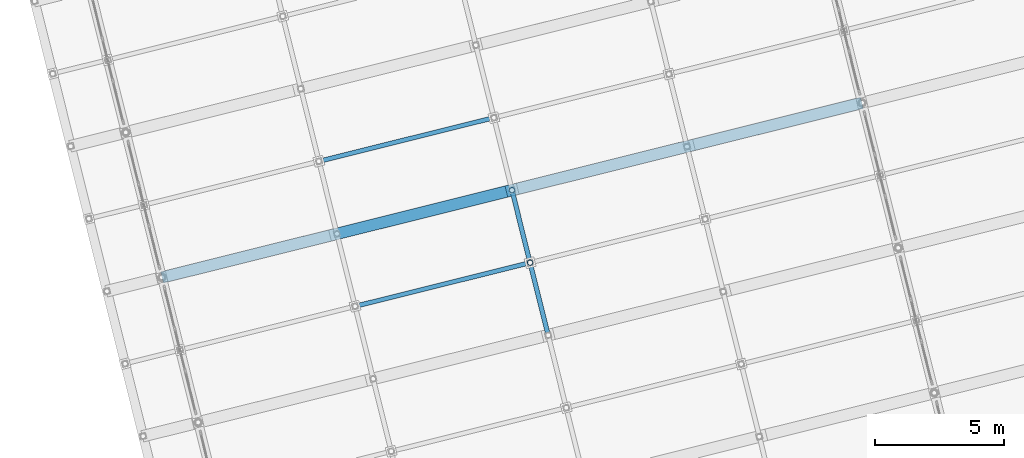
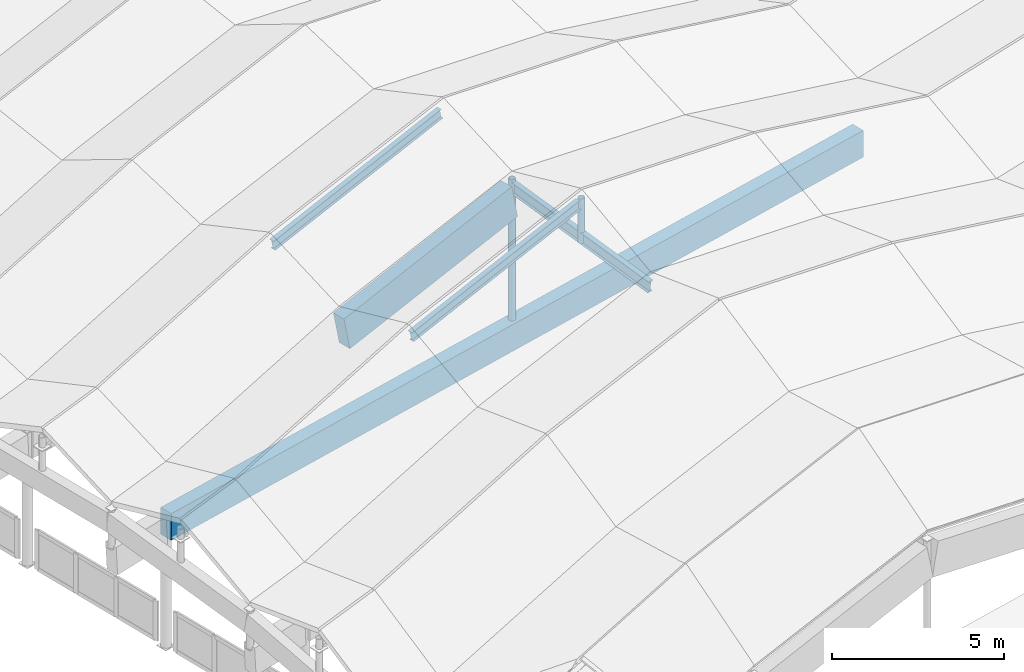
# One storey, part 21 of 65: 5 beams, 2 members.
"""IFC4 building model written with IfcOpenShell, lengths in metres."""

from ifc_helpers import new_model, si_unit, direction, frame, origin, origin_2d, place, context, subcontext, project, spatial, rectangle, hollow_circle, i_section, extrude, material, material_profile, profile_set, type_object, element, save


model = new_model("IFC4")

# Units and contexts
model_context = context("Model", 3, precision=1e-05, world=origin(), true_north=direction((0.0, 1.0)))
body_context = subcontext(model_context, "Body", "Model", "MODEL_VIEW")
ifc_project = project(units=[si_unit("LENGTHUNIT", "METRE"), si_unit("AREAUNIT", "SQUARE_METRE"), si_unit("VOLUMEUNIT", "CUBIC_METRE"), si_unit("PLANEANGLEUNIT", "RADIAN"), si_unit("MASSUNIT", "GRAM", prefix="KILO")], contexts=[model_context])

# Site, building, storey
site_placement = place(None, origin())
site = spatial("IfcSite", under=ifc_project, at=site_placement, CompositionType="ELEMENT")
building_placement = place(site_placement, origin())
building = spatial("IfcBuilding", under=site, at=building_placement, Name="Cinderway Yard Community Centre", CompositionType="ELEMENT")
storey_placement = place(building_placement, frame((0.0, 0.0, 24.300048828125)))
storey = spatial("IfcBuildingStorey", under=building, at=storey_placement, Name="RF", CompositionType="ELEMENT", Elevation=24.300048828125)

# Beams
ifc_material_1 = material(Name="Concrete C40/50", Category="concrete")
ifc_material_profile_1 = material_profile(ifc_material_1, rectangle(XDim=0.449951171875, YDim=1.199951171875, at=origin_2d()), Name="Concrete C40/50")
ifc_profile_set_1 = profile_set([ifc_material_profile_1], Name="Concrete C40/50")
beam_type_1 = type_object("IfcBeamType", Name="STR-BM-RC450X1200", PredefinedType="BEAM", material=ifc_profile_set_1)
beam_1_placement = place(storey_placement, frame((22.493896484375, 43.718994140625, -3.675048828125), z_axis=(0.950292775874, 0.237000940583, 0.20192621), x_axis=(-0.241985666717, 0.970279824125, 0.0)))
element("IfcBeam", 1, at=beam_1_placement, inside=storey, type_object=beam_type_1, Name="Main Hall arch rib segment 04.2", PredefinedType="BEAM", context=body_context, shape_type="SweptSolid", body=[
    extrude(rectangle(XDim=0.449951171875, YDim=1.199951171875, at=origin_2d()), origin(), (0.0, 0.0, 1.0), 6.932861328125),
])
ifc_material_profile_2 = material_profile(ifc_material_1, rectangle(XDim=0.449951171875, YDim=0.949951171875, at=origin_2d()), Name="Concrete C40/50")
ifc_profile_set_2 = profile_set([ifc_material_profile_2], Name="Concrete C40/50")
beam_type_2 = type_object("IfcBeamType", Name="STR-BM-RC450X950", PredefinedType="BEAM", material=ifc_profile_set_2)
beam_2_placement = place(storey_placement, frame((15.60009765625, 42.0, -7.080078125), z_axis=(0.970294130107, 0.241928297394, 0.0), x_axis=(-0.241928297394, 0.970294130107, 0.0)))
element("IfcBeam", 2, at=beam_2_placement, inside=storey, type_object=beam_type_2, Name="Main Hall folded-plate arch tie girder 04", PredefinedType="BEAM", context=body_context, shape_type="SweptSolid", body=[
    extrude(rectangle(XDim=0.449951171875, YDim=0.949951171875, at=origin_2d()), origin(), (0.0, 0.0, 1.0), 27.999755859375),
])
ifc_material_2 = material(Name="Steel S355", Category="steel")
ifc_material_profile_3 = material_profile(ifc_material_2, i_section(OverallWidth=0.172119140625, OverallDepth=0.35791015625, WebThickness=0.0078125, FlangeThickness=0.01318359375, FilletRadius=0.010986328125, at=origin_2d()), Name="Steel S355")
ifc_profile_set_3 = profile_set([ifc_material_profile_3], Name="Steel S355")
beam_type_3 = type_object("IfcBeamType", Name="STR-BM-W360X57", PredefinedType="JOIST", material=ifc_profile_set_3)
beam_3_placement = place(storey_placement, frame((23.196044921875, 40.905029296875, -2.406005859375), z_axis=(0.950289361775, 0.2370088721, 0.2019329677), x_axis=(-0.241994109311, 0.970277718521, 0.0)))
element("IfcBeam", 3, at=beam_3_placement, inside=storey, type_object=beam_type_3, Name="Folded-plate ridge beam B3.3", PredefinedType="JOIST", context=body_context, shape_type="SweptSolid", body=[
    extrude(i_section(OverallWidth=0.172119140625, OverallDepth=0.35791015625, WebThickness=0.0078125, FlangeThickness=0.01318359375, FilletRadius=0.010986328125, at=origin_2d()), origin(), (0.0, 0.0, 1.0), 6.9326171875),
])
beam_4_placement = place(storey_placement, frame((21.7919921875, 46.532958984375, -2.080078125), z_axis=(0.950331381064, 0.236834594429, 0.201939696558), x_axis=(-0.241816508438, 0.970321996168, 0.0)))
element("IfcBeam", 4, at=beam_4_placement, inside=storey, type_object=beam_type_3, Name="Folded-plate ridge beam B4.3", PredefinedType="JOIST", context=body_context, shape_type="SweptSolid", body=[
    extrude(i_section(OverallWidth=0.172119140625, OverallDepth=0.35791015625, WebThickness=0.0078125, FlangeThickness=0.01318359375, FilletRadius=0.010986328125, at=origin_2d()), origin(), (0.0, 0.0, 1.0), 6.93359375),
])
ifc_material_profile_4 = material_profile(ifc_material_2, i_section(OverallWidth=0.178955078125, OverallDepth=0.409912109375, WebThickness=0.0087890625, FlangeThickness=0.013427734375, FilletRadius=0.011962890625, at=origin_2d()), Name="Steel S355")
ifc_profile_set_4 = profile_set([ifc_material_profile_4], Name="Steel S355")
beam_type_4 = type_object("IfcBeamType", Name="STR-BM-W410X67", PredefinedType="JOIST", material=ifc_profile_set_4)
beam_5_placement = place(storey_placement, frame((30.5869140625, 39.759033203125, -2.531982421875), z_axis=(-0.240348967507, 0.964240236507, 0.111683213234), x_axis=(-0.970310635396, -0.241862090534, 0.0)))
element("IfcBeam", 5, at=beam_5_placement, inside=storey, type_object=beam_type_4, Name="Folded-plate valley beam B3-U14", PredefinedType="JOIST", context=body_context, shape_type="SweptSolid", body=[
    extrude(i_section(OverallWidth=0.178955078125, OverallDepth=0.409912109375, WebThickness=0.0087890625, FlangeThickness=0.013427734375, FilletRadius=0.011962890625, at=origin_2d()), origin(), (0.0, 0.0, 1.0), 5.836669921875),
])

# Members
ifc_material_profile_5 = material_profile(ifc_material_2, hollow_circle(Radius=0.109619140625, WallThickness=0.010009765625, at=origin_2d()), Name="Steel S355")
ifc_profile_set_5 = profile_set([ifc_material_profile_5], Name="Steel S355")
member_type = type_object("IfcMemberType", Name="STR-MEM-STRUT-CHS219", PredefinedType="STRUT", material=ifc_profile_set_5)
member_1_placement = place(storey_placement, frame((29.18408203125, 45.386962890625, -6.705078125), z_axis=(0.0, 0.0, 1.0), x_axis=(1.0, 0.0, 0.0)))
element("IfcMember", 6, at=member_1_placement, inside=storey, type_object=member_type, Name="Arch rib web post 04-14", PredefinedType="STRUT", context=body_context, shape_type="SweptSolid", body=[
    extrude(hollow_circle(Radius=0.109619140625, WallThickness=0.010009765625, at=origin_2d()), origin(), (0.0, 0.0, 1.0), 5.110107421875),
])
member_2_placement = place(storey_placement, frame((29.885986328125, 42.572998046875, -2.401123046875), z_axis=(0.0, 0.0, 1.0), x_axis=(1.0, 0.0, 0.0)))
element("IfcMember", 7, at=member_2_placement, inside=storey, type_object=member_type, Name="Folded-plate ridge kingpost B3-U14", PredefinedType="STRUT", context=body_context, shape_type="SweptSolid", body=[
    extrude(hollow_circle(Radius=0.109619140625, WallThickness=0.010009765625, at=origin_2d()), origin(), (0.0, 0.0, 1.0), 1.583984375),
])

save(model, "model.ifc")
